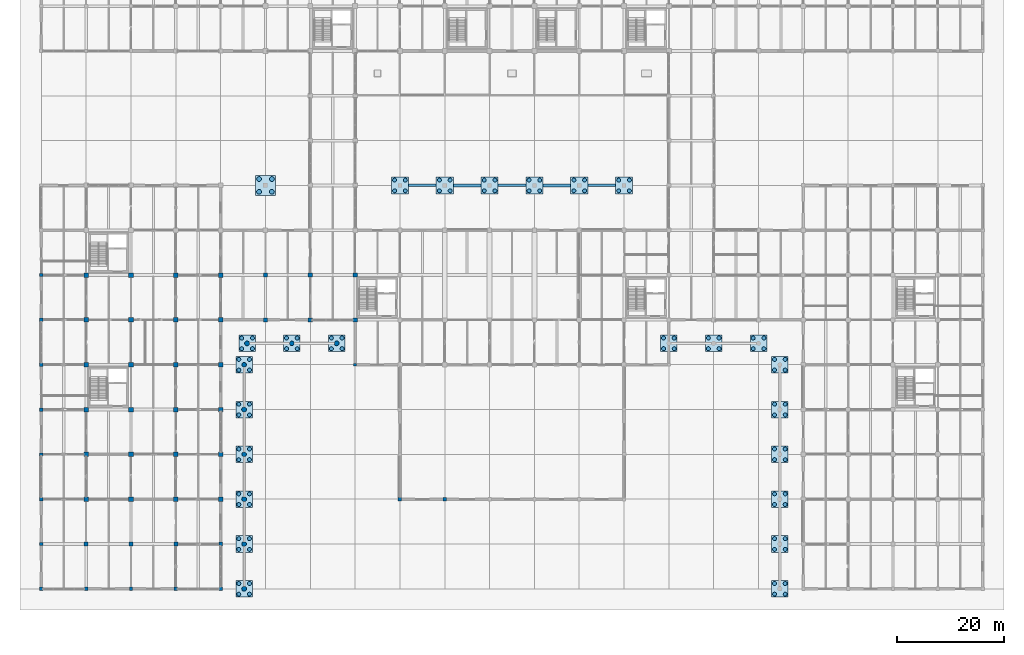
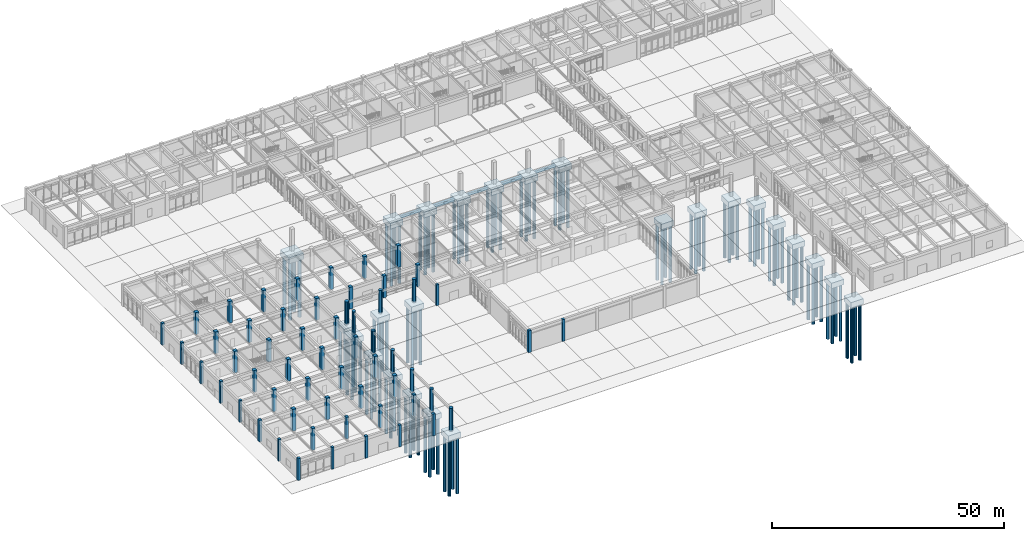
# One storey, part 1 of 91: 100 piles, 58 columns, 30 footings.
"""IFC4 building model written with IfcOpenShell, lengths in metres."""

from ifc_helpers import new_model, si_unit, direction, frame, origin, origin_2d, place, context, subcontext, project, spatial, rectangle, circle, extrude, material, material_profile, profile_set, type_object, element, save


model = new_model("IFC4")

# Units and contexts
model_context = context("Model", 3, precision=1e-05, world=origin(), true_north=direction((0.0, 1.0)))
body_context = subcontext(model_context, "Body", "Model", "MODEL_VIEW")
ifc_project = project(units=[si_unit("LENGTHUNIT", "METRE"), si_unit("AREAUNIT", "SQUARE_METRE"), si_unit("VOLUMEUNIT", "CUBIC_METRE"), si_unit("PLANEANGLEUNIT", "RADIAN"), si_unit("MASSUNIT", "GRAM", prefix="KILO")], contexts=[model_context])

# Site, building, storey
site_placement = place(None, origin())
site = spatial("IfcSite", under=ifc_project, at=site_placement, CompositionType="ELEMENT")
building_placement = place(site_placement, origin())
building = spatial("IfcBuilding", under=site, at=building_placement, Name="Porcellanite Civic Hall", CompositionType="ELEMENT")
storey_placement = place(building_placement, origin())
storey = spatial("IfcBuildingStorey", under=building, at=storey_placement, Name="L00", CompositionType="ELEMENT", Elevation=0.0)

# Footings
ifc_material_1 = material(Name="Concrete N40 (40 MPa)", Category="concrete")
ifc_material_profile_1 = material_profile(ifc_material_1, rectangle(XDim=0.550048828125, YDim=0.85009765625, at=origin_2d()), Name="RC-550x850")
ifc_profile_set_1 = profile_set([ifc_material_profile_1], Name="Concrete N40 (40 MPa)")
footing_type_1 = type_object("IfcFootingType", Name="GB-02", PredefinedType="FOOTING_BEAM", material=ifc_profile_set_1)
for number, where, z_axis, x_axis, name in (
    (1, (77.199951171875, 75.60009765625, -0.77490234375), (1.0, 0.0, 0.0), (0.0, 1.0, 0.0), "Ground tie beam L00 9-9 X"),
    (2, (94.0, 75.60009765625, -0.77490234375), (1.0, 0.0, 0.0), (0.0, 1.0, 0.0), "Ground tie beam L00 11-9 X"),
):
    element("IfcFooting", number, at=place(storey_placement, frame(where, z_axis=z_axis, x_axis=x_axis)), inside=storey, type_object=footing_type_1, Name=name, PredefinedType="FOOTING_BEAM", context=body_context, shape_type="SweptSolid", body=[
        extrude(rectangle(XDim=0.550048828125, YDim=0.85009765625, at=origin_2d()), origin(), (0.0, 0.0, 1.0), 5.199951171875),
    ])
ifc_material_2 = material(Name="Concrete N40 (40 MPa)", Category="concrete")
ifc_material_profile_2 = material_profile(ifc_material_2, rectangle(XDim=0.449951171875, YDim=0.699951171875, at=origin_2d()), Name="RC-450x700")
ifc_profile_set_2 = profile_set([ifc_material_profile_2], Name="Concrete N40 (40 MPa)")
footing_type_2 = type_object("IfcFootingType", Name="GB-03", PredefinedType="FOOTING_BEAM", material=ifc_profile_set_2)
for number, where, z_axis, x_axis, name in (
    (3, (68.800048828125, 75.60009765625, -0.699951171875), (1.0, 0.0, 0.0), (0.0, 1.0, 0.0), "Ground tie beam L00 8-9 X"),
    (4, (85.60009765625, 75.60009765625, -0.699951171875), (1.0, 0.0, 0.0), (0.0, 1.0, 0.0), "Ground tie beam L00 10-9 X"),
):
    element("IfcFooting", number, at=place(storey_placement, frame(where, z_axis=z_axis, x_axis=x_axis)), inside=storey, type_object=footing_type_2, Name=name, PredefinedType="FOOTING_BEAM", context=body_context, shape_type="SweptSolid", body=[
        extrude(rectangle(XDim=0.449951171875, YDim=0.699951171875, at=origin_2d()), origin(), (0.0, 0.0, 1.0), 5.199951171875),
    ])
footing_1_placement = place(storey_placement, frame((102.39990234375, 75.60009765625, -0.699951171875), z_axis=(1.0, 0.0, 0.0), x_axis=(0.0, 1.0, 0.0)))
element("IfcFooting", 5, at=footing_1_placement, inside=storey, type_object=footing_type_2, Name="Ground tie beam L00 12-9 X", PredefinedType="FOOTING_BEAM", context=body_context, shape_type="SweptSolid", body=[
    extrude(rectangle(XDim=0.449951171875, YDim=0.699951171875, at=origin_2d()), origin(), (0.0, 0.0, 1.0), 5.2001953125),
])
ifc_material_3 = material(Name="Concrete N40 (40 MPa)", Category="concrete")
footing_type_3 = type_object("IfcFootingType", Name="PC-01", PredefinedType="PILE_CAP", material=ifc_material_3)
for number, where, z_axis, x_axis, name in (
    (6, (38.0, 0.0, -1.75), (0.0, 0.0, 1.0), (1.0, 0.0, 0.0), "Colonnade pile cap COL-W-P01"),
    (7, (38.0, 8.39990234375, -1.75), (0.0, 0.0, 1.0), (1.0, 0.0, 0.0), "Colonnade pile cap COL-W-P02"),
    (8, (38.0, 16.800048828125, -1.75), (0.0, 0.0, 1.0), (1.0, 0.0, 0.0), "Colonnade pile cap COL-W-P03"),
    (9, (38.0, 25.199951171875, -1.75), (0.0, 0.0, 1.0), (1.0, 0.0, 0.0), "Colonnade pile cap COL-W-P04"),
    (10, (38.0, 33.60009765625, -1.75), (0.0, 0.0, 1.0), (1.0, 0.0, 0.0), "Colonnade pile cap COL-W-P05"),
    (11, (38.0, 42.0, -1.75), (0.0, 0.0, 1.0), (1.0, 0.0, 0.0), "Colonnade pile cap COL-W-P06"),
    (12, (138.39990234375, 0.0, -1.75), (0.0, 0.0, 1.0), (1.0, 0.0, 0.0), "Colonnade pile cap COL-E-P01"),
    (13, (138.39990234375, 8.39990234375, -1.75), (0.0, 0.0, 1.0), (1.0, 0.0, 0.0), "Colonnade pile cap COL-E-P02"),
    (14, (138.39990234375, 16.800048828125, -1.75), (0.0, 0.0, 1.0), (1.0, 0.0, 0.0), "Colonnade pile cap COL-E-P03"),
    (15, (138.39990234375, 25.199951171875, -1.75), (0.0, 0.0, 1.0), (1.0, 0.0, 0.0), "Colonnade pile cap COL-E-P04"),
    (16, (138.39990234375, 33.60009765625, -1.75), (0.0, 0.0, 1.0), (1.0, 0.0, 0.0), "Colonnade pile cap COL-E-P05"),
    (17, (138.39990234375, 42.0, -1.75), (0.0, 0.0, 1.0), (1.0, 0.0, 0.0), "Colonnade pile cap COL-E-P06"),
    (18, (38.550048828125, 46.0, -1.75), (0.0, 0.0, 1.0), (1.0, 0.0, 0.0), "Colonnade pile cap COL-NW-P01"),
    (19, (46.949951171875, 46.0, -1.75), (0.0, 0.0, 1.0), (1.0, 0.0, 0.0), "Colonnade pile cap COL-NW-P02"),
    (20, (55.35009765625, 46.0, -1.75), (0.0, 0.0, 1.0), (1.0, 0.0, 0.0), "Colonnade pile cap COL-NW-P03"),
    (21, (117.60009765625, 46.0, -1.75), (0.0, 0.0, 1.0), (1.0, 0.0, 0.0), "Colonnade pile cap COL-NE-P01"),
    (22, (126.0, 46.0, -1.75), (0.0, 0.0, 1.0), (1.0, 0.0, 0.0), "Colonnade pile cap COL-NE-P02"),
    (23, (134.39990234375, 46.0, -1.75), (0.0, 0.0, 1.0), (1.0, 0.0, 0.0), "Colonnade pile cap COL-NE-P03"),
):
    element("IfcFooting", number, at=place(storey_placement, frame(where, z_axis=z_axis, x_axis=x_axis)), inside=storey, type_object=footing_type_3, Name=name, PredefinedType="PILE_CAP", context=body_context, shape_type="SweptSolid", body=[
        extrude(rectangle(XDim=3.10009765625, YDim=3.10009765625, at=origin_2d()), origin(), (0.0, 0.0, 1.0), 1.39990234375),
    ])
ifc_material_4 = material(Name="Concrete N40 (40 MPa)", Category="concrete")
footing_type_4 = type_object("IfcFootingType", Name="PC-02", PredefinedType="PILE_CAP", material=ifc_material_4)
for number, where, z_axis, x_axis, name in (
    (24, (67.199951171875, 75.60009765625, -1.85009765625), (0.0, 0.0, 1.0), (1.0, 0.0, 0.0), "Pile cap 8-9"),
    (25, (75.60009765625, 75.60009765625, -1.85009765625), (0.0, 0.0, 1.0), (1.0, 0.0, 0.0), "Pile cap 9-9"),
    (26, (84.0, 75.60009765625, -1.85009765625), (0.0, 0.0, 1.0), (1.0, 0.0, 0.0), "Pile cap 10-9"),
    (27, (92.39990234375, 75.60009765625, -1.85009765625), (0.0, 0.0, 1.0), (1.0, 0.0, 0.0), "Pile cap 11-9"),
    (28, (100.800048828125, 75.60009765625, -1.85009765625), (0.0, 0.0, 1.0), (1.0, 0.0, 0.0), "Pile cap 12-9"),
    (29, (109.199951171875, 75.60009765625, -1.85009765625), (0.0, 0.0, 1.0), (1.0, 0.0, 0.0), "Pile cap 13-9"),
):
    element("IfcFooting", number, at=place(storey_placement, frame(where, z_axis=z_axis, x_axis=x_axis)), inside=storey, type_object=footing_type_4, Name=name, PredefinedType="PILE_CAP", context=body_context, shape_type="SweptSolid", body=[
        extrude(rectangle(XDim=3.199951171875, YDim=3.199951171875, at=origin_2d()), origin(), (0.0, 0.0, 1.0), 1.5),
    ])
ifc_material_5 = material(Name="Concrete N40 (40 MPa)", Category="concrete")
footing_type_5 = type_object("IfcFootingType", Name="PC-03", PredefinedType="PILE_CAP", material=ifc_material_5)
footing_2_placement = place(storey_placement, frame((42.0, 75.60009765625, -1.949951171875), z_axis=(0.0, 0.0, 1.0), x_axis=(1.0, 0.0, 0.0)))
element("IfcFooting", 30, at=footing_2_placement, inside=storey, type_object=footing_type_5, Name="Pile cap 5-9", PredefinedType="PILE_CAP", context=body_context, shape_type="SweptSolid", body=[
    extrude(rectangle(XDim=3.699951171875, YDim=3.699951171875, at=origin_2d()), origin(), (0.0, 0.0, 1.0), 1.60009765625),
])

# Piles
ifc_material_6 = material(Name="Concrete N40 (40 MPa)", Category="concrete")
ifc_material_profile_3 = material_profile(ifc_material_6, circle(Radius=0.375, at=origin_2d()), Name="PILE-D750")
ifc_profile_set_3 = profile_set([ifc_material_profile_3], Name="Concrete N40 (40 MPa)")
pile_type_1 = type_object("IfcPileType", Name="PL-750", PredefinedType="BORED", material=ifc_profile_set_3)
for number, where, z_axis, x_axis, name in (
    (31, (66.199951171875, 74.60009765625, -1.85009765625), (0.0, 0.0, -1.0), (1.0, 0.0, 0.0), "Bored pile 8-9-1"),
    (32, (66.199951171875, 76.60009765625, -1.85009765625), (0.0, 0.0, -1.0), (1.0, 0.0, 0.0), "Bored pile 8-9-2"),
    (33, (68.199951171875, 74.60009765625, -1.85009765625), (0.0, 0.0, -1.0), (1.0, 0.0, 0.0), "Bored pile 8-9-3"),
    (34, (68.199951171875, 76.60009765625, -1.85009765625), (0.0, 0.0, -1.0), (1.0, 0.0, 0.0), "Bored pile 8-9-4"),
    (35, (74.60009765625, 74.60009765625, -1.85009765625), (0.0, 0.0, -1.0), (1.0, 0.0, 0.0), "Bored pile 9-9-1"),
    (36, (74.60009765625, 76.60009765625, -1.85009765625), (0.0, 0.0, -1.0), (1.0, 0.0, 0.0), "Bored pile 9-9-2"),
    (37, (76.60009765625, 74.60009765625, -1.85009765625), (0.0, 0.0, -1.0), (1.0, 0.0, 0.0), "Bored pile 9-9-3"),
    (38, (76.60009765625, 76.60009765625, -1.85009765625), (0.0, 0.0, -1.0), (1.0, 0.0, 0.0), "Bored pile 9-9-4"),
    (39, (83.0, 74.60009765625, -1.85009765625), (0.0, 0.0, -1.0), (1.0, 0.0, 0.0), "Bored pile 10-9-1"),
    (40, (83.0, 76.60009765625, -1.85009765625), (0.0, 0.0, -1.0), (1.0, 0.0, 0.0), "Bored pile 10-9-2"),
    (41, (85.0, 74.60009765625, -1.85009765625), (0.0, 0.0, -1.0), (1.0, 0.0, 0.0), "Bored pile 10-9-3"),
    (42, (85.0, 76.60009765625, -1.85009765625), (0.0, 0.0, -1.0), (1.0, 0.0, 0.0), "Bored pile 10-9-4"),
    (43, (91.39990234375, 74.60009765625, -1.85009765625), (0.0, 0.0, -1.0), (1.0, 0.0, 0.0), "Bored pile 11-9-1"),
    (44, (91.39990234375, 76.60009765625, -1.85009765625), (0.0, 0.0, -1.0), (1.0, 0.0, 0.0), "Bored pile 11-9-2"),
    (45, (93.39990234375, 74.60009765625, -1.85009765625), (0.0, 0.0, -1.0), (1.0, 0.0, 0.0), "Bored pile 11-9-3"),
    (46, (93.39990234375, 76.60009765625, -1.85009765625), (0.0, 0.0, -1.0), (1.0, 0.0, 0.0), "Bored pile 11-9-4"),
    (47, (99.800048828125, 74.60009765625, -1.85009765625), (0.0, 0.0, -1.0), (1.0, 0.0, 0.0), "Bored pile 12-9-1"),
    (48, (99.800048828125, 76.60009765625, -1.85009765625), (0.0, 0.0, -1.0), (1.0, 0.0, 0.0), "Bored pile 12-9-2"),
    (49, (101.800048828125, 74.60009765625, -1.85009765625), (0.0, 0.0, -1.0), (1.0, 0.0, 0.0), "Bored pile 12-9-3"),
    (50, (101.800048828125, 76.60009765625, -1.85009765625), (0.0, 0.0, -1.0), (1.0, 0.0, 0.0), "Bored pile 12-9-4"),
    (51, (108.199951171875, 74.60009765625, -1.85009765625), (0.0, 0.0, -1.0), (1.0, 0.0, 0.0), "Bored pile 13-9-1"),
    (52, (108.199951171875, 76.60009765625, -1.85009765625), (0.0, 0.0, -1.0), (1.0, 0.0, 0.0), "Bored pile 13-9-2"),
    (53, (110.199951171875, 74.60009765625, -1.85009765625), (0.0, 0.0, -1.0), (1.0, 0.0, 0.0), "Bored pile 13-9-3"),
    (54, (110.199951171875, 76.60009765625, -1.85009765625), (0.0, 0.0, -1.0), (1.0, 0.0, 0.0), "Bored pile 13-9-4"),
):
    element("IfcPile", number, at=place(storey_placement, frame(where, z_axis=z_axis, x_axis=x_axis)), inside=storey, type_object=pile_type_1, Name=name, PredefinedType="BORED", context=body_context, shape_type="SweptSolid", body=[
        extrude(circle(Radius=0.375, at=origin_2d()), origin(), (0.0, 0.0, 1.0), 15.35009765625),
    ])
for number, where, z_axis, x_axis, name in (
    (55, (37.0, -1.0, -1.75), (0.0, 0.0, -1.0), (1.0, 0.0, 0.0), "Colonnade pile COL-W-P01-1"),
    (56, (37.0, 1.0, -1.75), (0.0, 0.0, -1.0), (1.0, 0.0, 0.0), "Colonnade pile COL-W-P01-2"),
    (57, (39.0, -1.0, -1.75), (0.0, 0.0, -1.0), (1.0, 0.0, 0.0), "Colonnade pile COL-W-P01-3"),
    (58, (39.0, 1.0, -1.75), (0.0, 0.0, -1.0), (1.0, 0.0, 0.0), "Colonnade pile COL-W-P01-4"),
    (59, (37.0, 7.39990234375, -1.75), (0.0, 0.0, -1.0), (1.0, 0.0, 0.0), "Colonnade pile COL-W-P02-1"),
    (60, (37.0, 9.39990234375, -1.75), (0.0, 0.0, -1.0), (1.0, 0.0, 0.0), "Colonnade pile COL-W-P02-2"),
    (61, (39.0, 7.39990234375, -1.75), (0.0, 0.0, -1.0), (1.0, 0.0, 0.0), "Colonnade pile COL-W-P02-3"),
    (62, (39.0, 9.39990234375, -1.75), (0.0, 0.0, -1.0), (1.0, 0.0, 0.0), "Colonnade pile COL-W-P02-4"),
    (63, (37.0, 15.800048828125, -1.75), (0.0, 0.0, -1.0), (1.0, 0.0, 0.0), "Colonnade pile COL-W-P03-1"),
    (64, (37.0, 17.800048828125, -1.75), (0.0, 0.0, -1.0), (1.0, 0.0, 0.0), "Colonnade pile COL-W-P03-2"),
    (65, (39.0, 15.800048828125, -1.75), (0.0, 0.0, -1.0), (1.0, 0.0, 0.0), "Colonnade pile COL-W-P03-3"),
    (66, (39.0, 17.800048828125, -1.75), (0.0, 0.0, -1.0), (1.0, 0.0, 0.0), "Colonnade pile COL-W-P03-4"),
    (67, (37.0, 24.199951171875, -1.75), (0.0, 0.0, -1.0), (1.0, 0.0, 0.0), "Colonnade pile COL-W-P04-1"),
    (68, (37.0, 26.199951171875, -1.75), (0.0, 0.0, -1.0), (1.0, 0.0, 0.0), "Colonnade pile COL-W-P04-2"),
    (69, (39.0, 24.199951171875, -1.75), (0.0, 0.0, -1.0), (1.0, 0.0, 0.0), "Colonnade pile COL-W-P04-3"),
    (70, (39.0, 26.199951171875, -1.75), (0.0, 0.0, -1.0), (1.0, 0.0, 0.0), "Colonnade pile COL-W-P04-4"),
    (71, (37.0, 32.60009765625, -1.75), (0.0, 0.0, -1.0), (1.0, 0.0, 0.0), "Colonnade pile COL-W-P05-1"),
    (72, (37.0, 34.60009765625, -1.75), (0.0, 0.0, -1.0), (1.0, 0.0, 0.0), "Colonnade pile COL-W-P05-2"),
    (73, (39.0, 32.60009765625, -1.75), (0.0, 0.0, -1.0), (1.0, 0.0, 0.0), "Colonnade pile COL-W-P05-3"),
    (74, (39.0, 34.60009765625, -1.75), (0.0, 0.0, -1.0), (1.0, 0.0, 0.0), "Colonnade pile COL-W-P05-4"),
    (75, (37.0, 41.0, -1.75), (0.0, 0.0, -1.0), (1.0, 0.0, 0.0), "Colonnade pile COL-W-P06-1"),
    (76, (37.0, 43.0, -1.75), (0.0, 0.0, -1.0), (1.0, 0.0, 0.0), "Colonnade pile COL-W-P06-2"),
    (77, (39.0, 41.0, -1.75), (0.0, 0.0, -1.0), (1.0, 0.0, 0.0), "Colonnade pile COL-W-P06-3"),
    (78, (39.0, 43.0, -1.75), (0.0, 0.0, -1.0), (1.0, 0.0, 0.0), "Colonnade pile COL-W-P06-4"),
    (79, (137.39990234375, -1.0, -1.75), (0.0, 0.0, -1.0), (1.0, 0.0, 0.0), "Colonnade pile COL-E-P01-1"),
    (80, (137.39990234375, 1.0, -1.75), (0.0, 0.0, -1.0), (1.0, 0.0, 0.0), "Colonnade pile COL-E-P01-2"),
    (81, (139.39990234375, -1.0, -1.75), (0.0, 0.0, -1.0), (1.0, 0.0, 0.0), "Colonnade pile COL-E-P01-3"),
    (82, (139.39990234375, 1.0, -1.75), (0.0, 0.0, -1.0), (1.0, 0.0, 0.0), "Colonnade pile COL-E-P01-4"),
    (83, (137.39990234375, 7.39990234375, -1.75), (0.0, 0.0, -1.0), (1.0, 0.0, 0.0), "Colonnade pile COL-E-P02-1"),
    (84, (137.39990234375, 9.39990234375, -1.75), (0.0, 0.0, -1.0), (1.0, 0.0, 0.0), "Colonnade pile COL-E-P02-2"),
    (85, (139.39990234375, 7.39990234375, -1.75), (0.0, 0.0, -1.0), (1.0, 0.0, 0.0), "Colonnade pile COL-E-P02-3"),
    (86, (139.39990234375, 9.39990234375, -1.75), (0.0, 0.0, -1.0), (1.0, 0.0, 0.0), "Colonnade pile COL-E-P02-4"),
    (87, (137.39990234375, 15.800048828125, -1.75), (0.0, 0.0, -1.0), (1.0, 0.0, 0.0), "Colonnade pile COL-E-P03-1"),
    (88, (137.39990234375, 17.800048828125, -1.75), (0.0, 0.0, -1.0), (1.0, 0.0, 0.0), "Colonnade pile COL-E-P03-2"),
    (89, (139.39990234375, 15.800048828125, -1.75), (0.0, 0.0, -1.0), (1.0, 0.0, 0.0), "Colonnade pile COL-E-P03-3"),
    (90, (139.39990234375, 17.800048828125, -1.75), (0.0, 0.0, -1.0), (1.0, 0.0, 0.0), "Colonnade pile COL-E-P03-4"),
    (91, (137.39990234375, 24.199951171875, -1.75), (0.0, 0.0, -1.0), (1.0, 0.0, 0.0), "Colonnade pile COL-E-P04-1"),
    (92, (137.39990234375, 26.199951171875, -1.75), (0.0, 0.0, -1.0), (1.0, 0.0, 0.0), "Colonnade pile COL-E-P04-2"),
    (93, (139.39990234375, 24.199951171875, -1.75), (0.0, 0.0, -1.0), (1.0, 0.0, 0.0), "Colonnade pile COL-E-P04-3"),
    (94, (139.39990234375, 26.199951171875, -1.75), (0.0, 0.0, -1.0), (1.0, 0.0, 0.0), "Colonnade pile COL-E-P04-4"),
    (95, (137.39990234375, 32.60009765625, -1.75), (0.0, 0.0, -1.0), (1.0, 0.0, 0.0), "Colonnade pile COL-E-P05-1"),
    (96, (137.39990234375, 34.60009765625, -1.75), (0.0, 0.0, -1.0), (1.0, 0.0, 0.0), "Colonnade pile COL-E-P05-2"),
    (97, (139.39990234375, 32.60009765625, -1.75), (0.0, 0.0, -1.0), (1.0, 0.0, 0.0), "Colonnade pile COL-E-P05-3"),
    (98, (139.39990234375, 34.60009765625, -1.75), (0.0, 0.0, -1.0), (1.0, 0.0, 0.0), "Colonnade pile COL-E-P05-4"),
    (99, (137.39990234375, 41.0, -1.75), (0.0, 0.0, -1.0), (1.0, 0.0, 0.0), "Colonnade pile COL-E-P06-1"),
    (100, (137.39990234375, 43.0, -1.75), (0.0, 0.0, -1.0), (1.0, 0.0, 0.0), "Colonnade pile COL-E-P06-2"),
    (101, (139.39990234375, 41.0, -1.75), (0.0, 0.0, -1.0), (1.0, 0.0, 0.0), "Colonnade pile COL-E-P06-3"),
    (102, (139.39990234375, 43.0, -1.75), (0.0, 0.0, -1.0), (1.0, 0.0, 0.0), "Colonnade pile COL-E-P06-4"),
    (103, (37.550048828125, 45.0, -1.75), (0.0, 0.0, -1.0), (1.0, 0.0, 0.0), "Colonnade pile COL-NW-P01-1"),
    (104, (37.550048828125, 47.0, -1.75), (0.0, 0.0, -1.0), (1.0, 0.0, 0.0), "Colonnade pile COL-NW-P01-2"),
    (105, (39.550048828125, 45.0, -1.75), (0.0, 0.0, -1.0), (1.0, 0.0, 0.0), "Colonnade pile COL-NW-P01-3"),
    (106, (39.550048828125, 47.0, -1.75), (0.0, 0.0, -1.0), (1.0, 0.0, 0.0), "Colonnade pile COL-NW-P01-4"),
    (107, (45.949951171875, 45.0, -1.75), (0.0, 0.0, -1.0), (1.0, 0.0, 0.0), "Colonnade pile COL-NW-P02-1"),
    (108, (45.949951171875, 47.0, -1.75), (0.0, 0.0, -1.0), (1.0, 0.0, 0.0), "Colonnade pile COL-NW-P02-2"),
    (109, (47.949951171875, 45.0, -1.75), (0.0, 0.0, -1.0), (1.0, 0.0, 0.0), "Colonnade pile COL-NW-P02-3"),
    (110, (47.949951171875, 47.0, -1.75), (0.0, 0.0, -1.0), (1.0, 0.0, 0.0), "Colonnade pile COL-NW-P02-4"),
    (111, (54.35009765625, 45.0, -1.75), (0.0, 0.0, -1.0), (1.0, 0.0, 0.0), "Colonnade pile COL-NW-P03-1"),
    (112, (54.35009765625, 47.0, -1.75), (0.0, 0.0, -1.0), (1.0, 0.0, 0.0), "Colonnade pile COL-NW-P03-2"),
    (113, (56.35009765625, 45.0, -1.75), (0.0, 0.0, -1.0), (1.0, 0.0, 0.0), "Colonnade pile COL-NW-P03-3"),
    (114, (56.35009765625, 47.0, -1.75), (0.0, 0.0, -1.0), (1.0, 0.0, 0.0), "Colonnade pile COL-NW-P03-4"),
    (115, (116.60009765625, 45.0, -1.75), (0.0, 0.0, -1.0), (1.0, 0.0, 0.0), "Colonnade pile COL-NE-P01-1"),
    (116, (116.60009765625, 47.0, -1.75), (0.0, 0.0, -1.0), (1.0, 0.0, 0.0), "Colonnade pile COL-NE-P01-2"),
    (117, (118.60009765625, 45.0, -1.75), (0.0, 0.0, -1.0), (1.0, 0.0, 0.0), "Colonnade pile COL-NE-P01-3"),
    (118, (118.60009765625, 47.0, -1.75), (0.0, 0.0, -1.0), (1.0, 0.0, 0.0), "Colonnade pile COL-NE-P01-4"),
    (119, (125.0, 45.0, -1.75), (0.0, 0.0, -1.0), (1.0, 0.0, 0.0), "Colonnade pile COL-NE-P02-1"),
    (120, (125.0, 47.0, -1.75), (0.0, 0.0, -1.0), (1.0, 0.0, 0.0), "Colonnade pile COL-NE-P02-2"),
    (121, (127.0, 45.0, -1.75), (0.0, 0.0, -1.0), (1.0, 0.0, 0.0), "Colonnade pile COL-NE-P02-3"),
    (122, (127.0, 47.0, -1.75), (0.0, 0.0, -1.0), (1.0, 0.0, 0.0), "Colonnade pile COL-NE-P02-4"),
    (123, (133.39990234375, 45.0, -1.75), (0.0, 0.0, -1.0), (1.0, 0.0, 0.0), "Colonnade pile COL-NE-P03-1"),
    (124, (133.39990234375, 47.0, -1.75), (0.0, 0.0, -1.0), (1.0, 0.0, 0.0), "Colonnade pile COL-NE-P03-2"),
    (125, (135.39990234375, 45.0, -1.75), (0.0, 0.0, -1.0), (1.0, 0.0, 0.0), "Colonnade pile COL-NE-P03-3"),
    (126, (135.39990234375, 47.0, -1.75), (0.0, 0.0, -1.0), (1.0, 0.0, 0.0), "Colonnade pile COL-NE-P03-4"),
):
    element("IfcPile", number, at=place(storey_placement, frame(where, z_axis=z_axis, x_axis=x_axis)), inside=storey, type_object=pile_type_1, Name=name, PredefinedType="BORED", context=body_context, shape_type="SweptSolid", body=[
        extrude(circle(Radius=0.375, at=origin_2d()), origin(), (0.0, 0.0, 1.0), 14.85009765625),
    ])
ifc_material_7 = material(Name="Concrete N40 (40 MPa)", Category="concrete")
ifc_material_profile_4 = material_profile(ifc_material_7, circle(Radius=0.449951171875, at=origin_2d()), Name="PILE-D900")
ifc_profile_set_4 = profile_set([ifc_material_profile_4], Name="Concrete N40 (40 MPa)")
pile_type_2 = type_object("IfcPileType", Name="PL-900", PredefinedType="BORED", material=ifc_profile_set_4)
for number, where, z_axis, x_axis, name in (
    (127, (40.800048828125, 74.39990234375, -1.949951171875), (0.0, 0.0, -1.0), (1.0, 0.0, 0.0), "Bored pile 5-9-1"),
    (128, (40.800048828125, 76.800048828125, -1.949951171875), (0.0, 0.0, -1.0), (1.0, 0.0, 0.0), "Bored pile 5-9-2"),
    (129, (43.199951171875, 74.39990234375, -1.949951171875), (0.0, 0.0, -1.0), (1.0, 0.0, 0.0), "Bored pile 5-9-3"),
    (130, (43.199951171875, 76.800048828125, -1.949951171875), (0.0, 0.0, -1.0), (1.0, 0.0, 0.0), "Bored pile 5-9-4"),
):
    element("IfcPile", number, at=place(storey_placement, frame(where, z_axis=z_axis, x_axis=x_axis)), inside=storey, type_object=pile_type_2, Name=name, PredefinedType="BORED", context=body_context, shape_type="SweptSolid", body=[
        extrude(circle(Radius=0.449951171875, at=origin_2d()), origin(), (0.0, 0.0, 1.0), 15.25),
    ])

# Columns
ifc_material_8 = material(Name="Concrete N50 (50 MPa)", Category="concrete")
ifc_material_profile_5 = material_profile(ifc_material_8, rectangle(XDim=0.550048828125, YDim=0.550048828125, at=origin_2d()), Name="RC-550x550")
ifc_profile_set_5 = profile_set([ifc_material_profile_5], Name="Concrete N50 (50 MPa)")
column_type_1 = type_object("IfcColumnType", Name="COL-550", PredefinedType="COLUMN", material=ifc_profile_set_5)
column_placement = place(storey_placement, frame((58.800048828125, 42.0, 0.0), z_axis=(0.0, 0.0, 1.0), x_axis=(1.0, 0.0, 0.0)))
element("IfcColumn", 131, at=column_placement, inside=storey, type_object=column_type_1, Name="Column L00 7-5", PredefinedType="COLUMN", context=body_context, shape_type="SweptSolid", body=[
    extrude(rectangle(XDim=0.550048828125, YDim=0.550048828125, at=origin_2d()), origin(), (0.0, 0.0, 1.0), 5.510009765625),
])
ifc_material_9 = material(Name="Concrete N50 (50 MPa)", Category="concrete")
ifc_material_profile_6 = material_profile(ifc_material_9, rectangle(XDim=0.60009765625, YDim=0.60009765625, at=origin_2d()), Name="RC-600x600")
ifc_profile_set_6 = profile_set([ifc_material_profile_6], Name="Concrete N50 (50 MPa)")
column_type_2 = type_object("IfcColumnType", Name="COL-600", PredefinedType="COLUMN", material=ifc_profile_set_6)
for number, where, z_axis, x_axis, name in (
    (132, (0.0, 8.39990234375, 0.0), (0.0, 0.0, 1.0), (1.0, 0.0, 0.0), "Column L00 0-1"),
    (133, (0.0, 25.199951171875, 0.0), (0.0, 0.0, 1.0), (1.0, 0.0, 0.0), "Column L00 0-3"),
    (134, (0.0, 42.0, 0.0), (0.0, 0.0, 1.0), (1.0, 0.0, 0.0), "Column L00 0-5"),
    (135, (0.0, 58.800048828125, 0.0), (0.0, 0.0, 1.0), (1.0, 0.0, 0.0), "Column L00 0-7"),
    (136, (8.39990234375, 0.0, 0.0), (0.0, 0.0, 1.0), (1.0, 0.0, 0.0), "Column L00 1-0"),
    (137, (25.199951171875, 0.0, 0.0), (0.0, 0.0, 1.0), (1.0, 0.0, 0.0), "Column L00 3-0"),
    (138, (75.60009765625, 16.800048828125, 0.0), (0.0, 0.0, 1.0), (1.0, 0.0, 0.0), "Column L00 9-2"),
):
    element("IfcColumn", number, at=place(storey_placement, frame(where, z_axis=z_axis, x_axis=x_axis)), inside=storey, type_object=column_type_2, Name=name, PredefinedType="COLUMN", context=body_context, shape_type="SweptSolid", body=[
        extrude(rectangle(XDim=0.60009765625, YDim=0.60009765625, at=origin_2d()), origin(), (0.0, 0.0, 1.0), 5.760009765625),
    ])
ifc_material_10 = material(Name="Concrete N50 (50 MPa)", Category="concrete")
ifc_material_profile_7 = material_profile(ifc_material_10, rectangle(XDim=0.64990234375, YDim=0.64990234375, at=origin_2d()), Name="RC-650x650")
ifc_profile_set_7 = profile_set([ifc_material_profile_7], Name="Concrete N50 (50 MPa)")
column_type_3 = type_object("IfcColumnType", Name="COL-650", PredefinedType="COLUMN", material=ifc_profile_set_7)
for number, where, z_axis, x_axis, name in (
    (139, (0.0, 0.0, 0.0), (0.0, 0.0, 1.0), (1.0, 0.0, 0.0), "Column L00 0-0"),
    (140, (0.0, 16.800048828125, 0.0), (0.0, 0.0, 1.0), (1.0, 0.0, 0.0), "Column L00 0-2"),
    (141, (0.0, 33.60009765625, 0.0), (0.0, 0.0, 1.0), (1.0, 0.0, 0.0), "Column L00 0-4"),
    (142, (0.0, 50.39990234375, 0.0), (0.0, 0.0, 1.0), (1.0, 0.0, 0.0), "Column L00 0-6"),
    (143, (16.800048828125, 0.0, 0.0), (0.0, 0.0, 1.0), (1.0, 0.0, 0.0), "Column L00 2-0"),
    (144, (33.60009765625, 0.0, 0.0), (0.0, 0.0, 1.0), (1.0, 0.0, 0.0), "Column L00 4-0"),
    (145, (67.199951171875, 16.800048828125, 0.0), (0.0, 0.0, 1.0), (1.0, 0.0, 0.0), "Column L00 8-2"),
):
    element("IfcColumn", number, at=place(storey_placement, frame(where, z_axis=z_axis, x_axis=x_axis)), inside=storey, type_object=column_type_3, Name=name, PredefinedType="COLUMN", context=body_context, shape_type="SweptSolid", body=[
        extrude(rectangle(XDim=0.64990234375, YDim=0.64990234375, at=origin_2d()), origin(), (0.0, 0.0, 1.0), 5.760009765625),
    ])
ifc_material_11 = material(Name="Concrete N50 (50 MPa)", Category="concrete")
ifc_material_profile_8 = material_profile(ifc_material_11, rectangle(XDim=0.699951171875, YDim=0.699951171875, at=origin_2d()), Name="RC-700x700")
ifc_profile_set_8 = profile_set([ifc_material_profile_8], Name="Concrete N50 (50 MPa)")
column_type_4 = type_object("IfcColumnType", Name="COL-700", PredefinedType="COLUMN", material=ifc_profile_set_8)
for number, where, z_axis, x_axis, name in (
    (146, (16.800048828125, 8.39990234375, 0.0), (0.0, 0.0, 1.0), (1.0, 0.0, 0.0), "Column L00 2-1"),
    (147, (33.60009765625, 8.39990234375, 0.0), (0.0, 0.0, 1.0), (1.0, 0.0, 0.0), "Column L00 4-1"),
):
    element("IfcColumn", number, at=place(storey_placement, frame(where, z_axis=z_axis, x_axis=x_axis)), inside=storey, type_object=column_type_4, Name=name, PredefinedType="COLUMN", context=body_context, shape_type="SweptSolid", body=[
        extrude(rectangle(XDim=0.699951171875, YDim=0.699951171875, at=origin_2d()), origin(), (0.0, 0.0, 1.0), 5.760009765625),
    ])
ifc_material_12 = material(Name="Concrete N50 (50 MPa)", Category="concrete")
ifc_material_profile_9 = material_profile(ifc_material_12, rectangle(XDim=0.75, YDim=0.75, at=origin_2d()), Name="RC-750x750")
ifc_profile_set_9 = profile_set([ifc_material_profile_9], Name="Concrete N50 (50 MPa)")
column_type_5 = type_object("IfcColumnType", Name="COL-750", PredefinedType="COLUMN", material=ifc_profile_set_9)
for number, where, z_axis, x_axis, name in (
    (148, (8.39990234375, 8.39990234375, 0.0), (0.0, 0.0, 1.0), (1.0, 0.0, 0.0), "Column L00 1-1"),
    (149, (25.199951171875, 8.39990234375, 0.0), (0.0, 0.0, 1.0), (1.0, 0.0, 0.0), "Column L00 3-1"),
):
    element("IfcColumn", number, at=place(storey_placement, frame(where, z_axis=z_axis, x_axis=x_axis)), inside=storey, type_object=column_type_5, Name=name, PredefinedType="COLUMN", context=body_context, shape_type="SweptSolid", body=[
        extrude(rectangle(XDim=0.75, YDim=0.75, at=origin_2d()), origin(), (0.0, 0.0, 1.0), 5.760009765625),
    ])
ifc_material_13 = material(Name="Concrete N50 (50 MPa)", Category="concrete")
ifc_material_profile_10 = material_profile(ifc_material_13, rectangle(XDim=0.800048828125, YDim=0.800048828125, at=origin_2d()), Name="RC-800x800")
ifc_profile_set_10 = profile_set([ifc_material_profile_10], Name="Concrete N50 (50 MPa)")
column_type_6 = type_object("IfcColumnType", Name="COL-800", PredefinedType="COLUMN", material=ifc_profile_set_10)
for number, where, z_axis, x_axis, name in (
    (150, (42.0, 50.39990234375, 0.0), (0.0, 0.0, 1.0), (1.0, 0.0, 0.0), "Column L00 5-6"),
    (151, (42.0, 58.800048828125, 0.0), (0.0, 0.0, 1.0), (1.0, 0.0, 0.0), "Column L00 5-7"),
    (152, (50.39990234375, 50.39990234375, 0.0), (0.0, 0.0, 1.0), (1.0, 0.0, 0.0), "Column L00 6-6"),
    (153, (50.39990234375, 58.800048828125, 0.0), (0.0, 0.0, 1.0), (1.0, 0.0, 0.0), "Column L00 6-7"),
    (154, (58.800048828125, 50.39990234375, 0.0), (0.0, 0.0, 1.0), (1.0, 0.0, 0.0), "Column L00 7-6"),
    (155, (58.800048828125, 58.800048828125, 0.0), (0.0, 0.0, 1.0), (1.0, 0.0, 0.0), "Column L00 7-7"),
):
    element("IfcColumn", number, at=place(storey_placement, frame(where, z_axis=z_axis, x_axis=x_axis)), inside=storey, type_object=column_type_6, Name=name, PredefinedType="COLUMN", context=body_context, shape_type="SweptSolid", body=[
        extrude(rectangle(XDim=0.800048828125, YDim=0.800048828125, at=origin_2d()), origin(), (0.0, 0.0, 1.0), 5.760009765625),
    ])
ifc_material_14 = material(Name="Concrete N50 (50 MPa)", Category="concrete")
ifc_material_profile_11 = material_profile(ifc_material_14, rectangle(XDim=0.85009765625, YDim=0.85009765625, at=origin_2d()), Name="RC-850x850")
ifc_profile_set_11 = profile_set([ifc_material_profile_11], Name="Concrete N50 (50 MPa)")
column_type_7 = type_object("IfcColumnType", Name="COL-850", PredefinedType="COLUMN", material=ifc_profile_set_11)
for number, where, z_axis, x_axis, name in (
    (156, (8.39990234375, 16.800048828125, 0.0), (0.0, 0.0, 1.0), (1.0, 0.0, 0.0), "Column L00 1-2"),
    (157, (8.39990234375, 25.199951171875, 0.0), (0.0, 0.0, 1.0), (1.0, 0.0, 0.0), "Column L00 1-3"),
    (158, (8.39990234375, 33.60009765625, 0.0), (0.0, 0.0, 1.0), (1.0, 0.0, 0.0), "Column L00 1-4"),
    (159, (8.39990234375, 42.0, 0.0), (0.0, 0.0, 1.0), (1.0, 0.0, 0.0), "Column L00 1-5"),
    (160, (8.39990234375, 50.39990234375, 0.0), (0.0, 0.0, 1.0), (1.0, 0.0, 0.0), "Column L00 1-6"),
    (161, (8.39990234375, 58.800048828125, 0.0), (0.0, 0.0, 1.0), (1.0, 0.0, 0.0), "Column L00 1-7"),
    (162, (16.800048828125, 16.800048828125, 0.0), (0.0, 0.0, 1.0), (1.0, 0.0, 0.0), "Column L00 2-2"),
    (163, (16.800048828125, 25.199951171875, 0.0), (0.0, 0.0, 1.0), (1.0, 0.0, 0.0), "Column L00 2-3"),
    (164, (16.800048828125, 33.60009765625, 0.0), (0.0, 0.0, 1.0), (1.0, 0.0, 0.0), "Column L00 2-4"),
    (165, (16.800048828125, 42.0, 0.0), (0.0, 0.0, 1.0), (1.0, 0.0, 0.0), "Column L00 2-5"),
    (166, (16.800048828125, 50.39990234375, 0.0), (0.0, 0.0, 1.0), (1.0, 0.0, 0.0), "Column L00 2-6"),
    (167, (16.800048828125, 58.800048828125, 0.0), (0.0, 0.0, 1.0), (1.0, 0.0, 0.0), "Column L00 2-7"),
    (168, (25.199951171875, 16.800048828125, 0.0), (0.0, 0.0, 1.0), (1.0, 0.0, 0.0), "Column L00 3-2"),
    (169, (25.199951171875, 25.199951171875, 0.0), (0.0, 0.0, 1.0), (1.0, 0.0, 0.0), "Column L00 3-3"),
    (170, (25.199951171875, 33.60009765625, 0.0), (0.0, 0.0, 1.0), (1.0, 0.0, 0.0), "Column L00 3-4"),
    (171, (25.199951171875, 42.0, 0.0), (0.0, 0.0, 1.0), (1.0, 0.0, 0.0), "Column L00 3-5"),
    (172, (25.199951171875, 50.39990234375, 0.0), (0.0, 0.0, 1.0), (1.0, 0.0, 0.0), "Column L00 3-6"),
    (173, (25.199951171875, 58.800048828125, 0.0), (0.0, 0.0, 1.0), (1.0, 0.0, 0.0), "Column L00 3-7"),
    (174, (33.60009765625, 16.800048828125, 0.0), (0.0, 0.0, 1.0), (1.0, 0.0, 0.0), "Column L00 4-2"),
    (175, (33.60009765625, 25.199951171875, 0.0), (0.0, 0.0, 1.0), (1.0, 0.0, 0.0), "Column L00 4-3"),
    (176, (33.60009765625, 33.60009765625, 0.0), (0.0, 0.0, 1.0), (1.0, 0.0, 0.0), "Column L00 4-4"),
    (177, (33.60009765625, 42.0, 0.0), (0.0, 0.0, 1.0), (1.0, 0.0, 0.0), "Column L00 4-5"),
    (178, (33.60009765625, 50.39990234375, 0.0), (0.0, 0.0, 1.0), (1.0, 0.0, 0.0), "Column L00 4-6"),
    (179, (33.60009765625, 58.800048828125, 0.0), (0.0, 0.0, 1.0), (1.0, 0.0, 0.0), "Column L00 4-7"),
):
    element("IfcColumn", number, at=place(storey_placement, frame(where, z_axis=z_axis, x_axis=x_axis)), inside=storey, type_object=column_type_7, Name=name, PredefinedType="COLUMN", context=body_context, shape_type="SweptSolid", body=[
        extrude(rectangle(XDim=0.85009765625, YDim=0.85009765625, at=origin_2d()), origin(), (0.0, 0.0, 1.0), 5.760009765625),
    ])
ifc_material_15 = material(Name="Concrete N50 (50 MPa)", Category="concrete")
ifc_material_profile_12 = material_profile(ifc_material_15, circle(Radius=0.425048828125, at=origin_2d()), Name="RC-D850")
ifc_profile_set_12 = profile_set([ifc_material_profile_12], Name="Concrete N50 (50 MPa)")
column_type_8 = type_object("IfcColumnType", Name="PIER-D850", PredefinedType="PILASTER", material=ifc_profile_set_12)
for number, where, z_axis, x_axis, name in (
    (180, (38.0, 8.39990234375, -0.35009765625), (0.0, 0.0, 1.0), (1.0, 0.0, 0.0), "Colonnade pier L00 COL-W-P02"),
    (181, (38.0, 25.199951171875, -0.35009765625), (0.0, 0.0, 1.0), (1.0, 0.0, 0.0), "Colonnade pier L00 COL-W-P04"),
    (182, (38.0, 42.0, -0.35009765625), (0.0, 0.0, 1.0), (1.0, 0.0, 0.0), "Colonnade pier L00 COL-W-P06"),
    (183, (46.949951171875, 46.0, -0.35009765625), (0.0, 0.0, 1.0), (1.0, 0.0, 0.0), "Colonnade pier L00 COL-NW-P02"),
):
    element("IfcColumn", number, at=place(storey_placement, frame(where, z_axis=z_axis, x_axis=x_axis)), inside=storey, type_object=column_type_8, Name=name, PredefinedType="PILASTER", context=body_context, shape_type="SweptSolid", body=[
        extrude(circle(Radius=0.425048828125, at=origin_2d()), origin(), (0.0, 0.0, 1.0), 6.110107421875),
    ])
ifc_material_16 = material(Name="Concrete N50 (50 MPa)", Category="concrete")
ifc_material_profile_13 = material_profile(ifc_material_16, circle(Radius=0.449951171875, at=origin_2d()), Name="RC-D900")
ifc_profile_set_13 = profile_set([ifc_material_profile_13], Name="Concrete N50 (50 MPa)")
column_type_9 = type_object("IfcColumnType", Name="PIER-D900", PredefinedType="PILASTER", material=ifc_profile_set_13)
for number, where, z_axis, x_axis, name in (
    (184, (38.0, 0.0, -0.35009765625), (0.0, 0.0, 1.0), (1.0, 0.0, 0.0), "Colonnade pier L00 COL-W-P01"),
    (185, (38.0, 16.800048828125, -0.35009765625), (0.0, 0.0, 1.0), (1.0, 0.0, 0.0), "Colonnade pier L00 COL-W-P03"),
    (186, (38.0, 33.60009765625, -0.35009765625), (0.0, 0.0, 1.0), (1.0, 0.0, 0.0), "Colonnade pier L00 COL-W-P05"),
    (187, (38.550048828125, 46.0, -0.35009765625), (0.0, 0.0, 1.0), (1.0, 0.0, 0.0), "Colonnade pier L00 COL-NW-P01"),
    (188, (55.35009765625, 46.0, -0.35009765625), (0.0, 0.0, 1.0), (1.0, 0.0, 0.0), "Colonnade pier L00 COL-NW-P03"),
):
    element("IfcColumn", number, at=place(storey_placement, frame(where, z_axis=z_axis, x_axis=x_axis)), inside=storey, type_object=column_type_9, Name=name, PredefinedType="PILASTER", context=body_context, shape_type="SweptSolid", body=[
        extrude(circle(Radius=0.449951171875, at=origin_2d()), origin(), (0.0, 0.0, 1.0), 6.110107421875),
    ])

save(model, "model.ifc")
